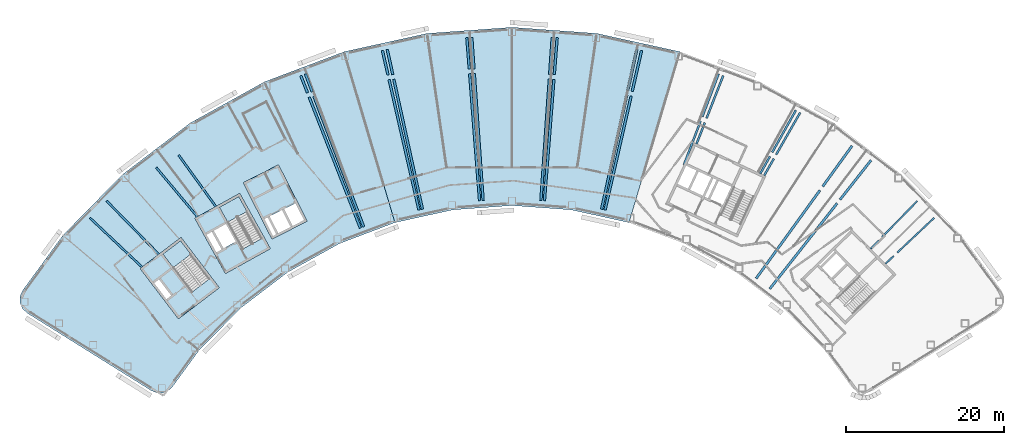
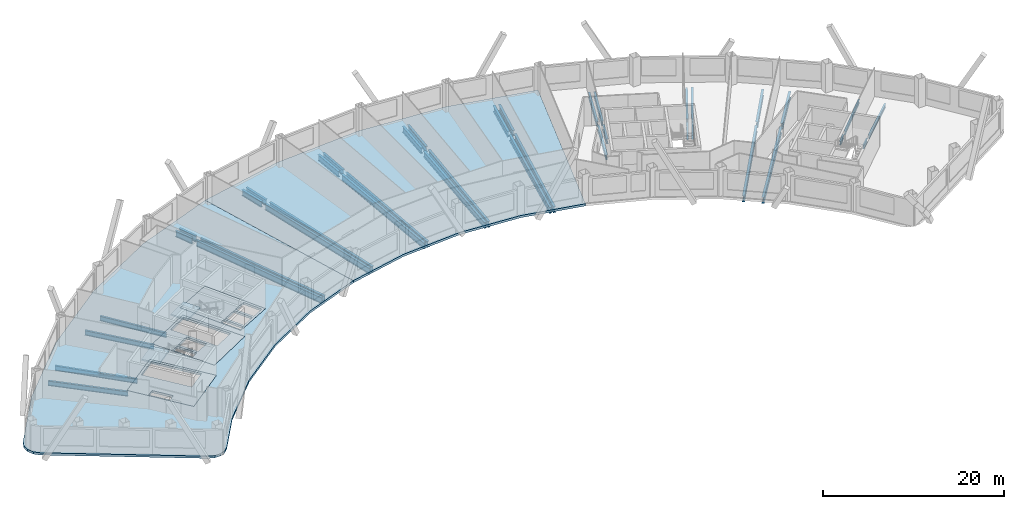
# One storey, part 3 of 14: 40 beams, 7 slabs, 2 elements without a shape of their own.
"""IFC4 building model written with IfcOpenShell, lengths in metres."""

from ifc_helpers import new_model, si_unit, direction, frame, origin, origin_2d, place, context, subcontext, project, spatial, polyline, i_section, outline, extrude, material, layer, layer_set, material_profile, profile_set, type_object, element, aggregate, save


model = new_model("IFC4")

# Units and contexts
model_context = context("Model", 3, precision=1e-05, world=origin(), true_north=direction((0.0, 1.0)))
body_context = subcontext(model_context, "Body", "Model", "MODEL_VIEW")
ifc_project = project(units=[si_unit("LENGTHUNIT", "METRE"), si_unit("AREAUNIT", "SQUARE_METRE"), si_unit("VOLUMEUNIT", "CUBIC_METRE"), si_unit("PLANEANGLEUNIT", "RADIAN"), si_unit("MASSUNIT", "GRAM", prefix="KILO")], contexts=[model_context])

# Site, building, storey
site_placement = place(None, origin())
site = spatial("IfcSite", under=ifc_project, at=site_placement, CompositionType="ELEMENT")
building_placement = place(site_placement, origin())
building = spatial("IfcBuilding", under=site, at=building_placement, Name="Tuul Gate Civic Tower", CompositionType="ELEMENT")
storey_placement = place(building_placement, frame((0.0, 0.0, 209.5)))
storey = spatial("IfcBuildingStorey", under=building, at=storey_placement, Name="Level 47", CompositionType="ELEMENT", Elevation=209.5)

# Beams
ifc_material_1 = material(Name="Steel S355", Category="steel")
ifc_material_profile_1 = material_profile(ifc_material_1, i_section(OverallWidth=0.199951171875, OverallDepth=0.5, WebThickness=0.010009765625, FlangeThickness=0.01611328125, at=origin_2d()), Name="PG500x200x10x16")
ifc_profile_set_1 = profile_set([ifc_material_profile_1], Name="Steel S355")
beam_type_1 = type_object("IfcBeamType", Name="STR-FLOOR BEAM-PG500x200x10x16", PredefinedType="BEAM", material=ifc_profile_set_1)
beam_1_placement = place(storey_placement, frame((53.19921875, -10.76025390625, -0.550048828125), z_axis=(0.727524796955, 0.686081387166, 0.0), x_axis=(-0.686081387166, 0.727524796955, 0.0)))
element("IfcBeam", 1, at=beam_1_placement, inside=storey, type_object=beam_type_1, Name="Floor beam", PredefinedType="BEAM", context=body_context, shape_type="SweptSolid", body=[
    extrude(i_section(OverallWidth=0.199951171875, OverallDepth=0.5, WebThickness=0.010009765625, FlangeThickness=0.01611328125, at=origin_2d()), origin(), (0.0, 0.0, 1.0), 1.455078125),
])
beam_2_placement = place(storey_placement, frame((54.6943359375, -9.35009765625, -0.550048828125), z_axis=(0.72749530032, 0.686112664227, 0.0), x_axis=(-0.686112664227, 0.72749530032, 0.0)))
element("IfcBeam", 2, at=beam_2_placement, inside=storey, type_object=beam_type_1, Name="Floor beam", PredefinedType="BEAM", context=body_context, shape_type="SweptSolid", body=[
    extrude(i_section(OverallWidth=0.199951171875, OverallDepth=0.5, WebThickness=0.010009765625, FlangeThickness=0.01611328125, at=origin_2d()), origin(), (0.0, 0.0, 1.0), 6.401123046875),
])
beam_3_placement = place(storey_placement, frame((51.3310546875, -8.854248046875, -0.550048828125), z_axis=(0.698665616617, 0.715448360231, 0.0), x_axis=(-0.715448360231, 0.698665616617, 0.0)))
element("IfcBeam", 3, at=beam_3_placement, inside=storey, type_object=beam_type_1, Name="Floor beam", PredefinedType="BEAM", context=body_context, shape_type="SweptSolid", body=[
    extrude(i_section(OverallWidth=0.199951171875, OverallDepth=0.5, WebThickness=0.010009765625, FlangeThickness=0.01611328125, at=origin_2d()), origin(), (0.0, 0.0, 1.0), 1.454833984375),
])
beam_4_placement = place(storey_placement, frame((52.766845703125, -7.384033203125, -0.550048828125), z_axis=(0.698685962104, 0.715428491436, 0.0), x_axis=(-0.715428491436, 0.698685962104, 0.0)))
element("IfcBeam", 4, at=beam_4_placement, inside=storey, type_object=beam_type_1, Name="Floor beam", PredefinedType="BEAM", context=body_context, shape_type="SweptSolid", body=[
    extrude(i_section(OverallWidth=0.199951171875, OverallDepth=0.5, WebThickness=0.010009765625, FlangeThickness=0.01611328125, at=origin_2d()), origin(), (0.0, 0.0, 1.0), 6.401611328125),
])
ifc_material_2 = material(Name="Steel S355", Category="steel")
ifc_material_profile_2 = material_profile(ifc_material_2, i_section(OverallWidth=0.25, OverallDepth=0.64990234375, WebThickness=0.011962890625, FlangeThickness=0.02001953125, at=origin_2d()), Name="PG650x250x12x20")
ifc_profile_set_2 = profile_set([ifc_material_profile_2], Name="Steel S355")
beam_type_2 = type_object("IfcBeamType", Name="STR-FLOOR BEAM-PG650x250x12x20", PredefinedType="BEAM", material=ifc_profile_set_2)
beam_5_placement = place(storey_placement, frame((37.854248046875, 0.41259765625, -0.625), z_axis=(0.496890617207, 0.86781317951, 0.0), x_axis=(-0.86781317951, 0.496890617207, 0.0)))
element("IfcBeam", 5, at=beam_5_placement, inside=storey, type_object=beam_type_2, Name="Floor beam", PredefinedType="BEAM", context=body_context, shape_type="SweptSolid", body=[
    extrude(i_section(OverallWidth=0.25, OverallDepth=0.64990234375, WebThickness=0.011962890625, FlangeThickness=0.02001953125, at=origin_2d()), origin(), (0.0, 0.0, 1.0), 2.44775390625),
])
beam_6_placement = place(storey_placement, frame((39.36865234375, 3.0576171875, -0.625), z_axis=(0.496850825703, 0.867835962034, 0.0), x_axis=(-0.867835962034, 0.496850825703, 0.0)))
element("IfcBeam", 6, at=beam_6_placement, inside=storey, type_object=beam_type_2, Name="Floor beam", PredefinedType="BEAM", context=body_context, shape_type="SweptSolid", body=[
    extrude(i_section(OverallWidth=0.25, OverallDepth=0.64990234375, WebThickness=0.011962890625, FlangeThickness=0.02001953125, at=origin_2d()), origin(), (0.0, 0.0, 1.0), 6.12939453125),
])
beam_7_placement = place(storey_placement, frame((37.358154296875, 0.643798828125, -0.625), z_axis=(0.489440435477, 0.872036730947, 0.0), x_axis=(-0.872036730947, 0.489440435477, 0.0)))
element("IfcBeam", 7, at=beam_7_placement, inside=storey, type_object=beam_type_2, Name="Floor beam", PredefinedType="BEAM", context=body_context, shape_type="SweptSolid", body=[
    extrude(i_section(OverallWidth=0.25, OverallDepth=0.64990234375, WebThickness=0.011962890625, FlangeThickness=0.02001953125, at=origin_2d()), origin(), (0.0, 0.0, 1.0), 2.486083984375),
])
beam_8_placement = place(storey_placement, frame((38.86865234375, 3.3349609375, -0.625), z_axis=(0.48945345301, 0.872029424582, 0.0), x_axis=(-0.872029424582, 0.48945345301, 0.0)))
element("IfcBeam", 8, at=beam_8_placement, inside=storey, type_object=beam_type_2, Name="Floor beam", PredefinedType="BEAM", context=body_context, shape_type="SweptSolid", body=[
    extrude(i_section(OverallWidth=0.25, OverallDepth=0.64990234375, WebThickness=0.011962890625, FlangeThickness=0.02001953125, at=origin_2d()), origin(), (0.0, 0.0, 1.0), 6.12890625),
])
beam_9_placement = place(storey_placement, frame((29.2900390625, 4.406005859375, -0.625), z_axis=(0.364064752564, 0.931373639277, 0.0), x_axis=(-0.931373639277, 0.364064752564, 0.0)))
element("IfcBeam", 9, at=beam_9_placement, inside=storey, type_object=beam_type_2, Name="Floor beam", PredefinedType="BEAM", context=body_context, shape_type="SweptSolid", body=[
    extrude(i_section(OverallWidth=0.25, OverallDepth=0.64990234375, WebThickness=0.011962890625, FlangeThickness=0.02001953125, at=origin_2d()), origin(), (0.0, 0.0, 1.0), 2.888916015625),
])
beam_10_placement = place(storey_placement, frame((30.56005859375, 7.655517578125, -0.625), z_axis=(0.364082411957, 0.931366736202, 0.0), x_axis=(-0.931366736202, 0.364082411957, 0.0)))
element("IfcBeam", 10, at=beam_10_placement, inside=storey, type_object=beam_type_2, Name="Floor beam", PredefinedType="BEAM", context=body_context, shape_type="SweptSolid", body=[
    extrude(i_section(OverallWidth=0.25, OverallDepth=0.64990234375, WebThickness=0.011962890625, FlangeThickness=0.02001953125, at=origin_2d()), origin(), (0.0, 0.0, 1.0), 5.7802734375),
])
beam_11_placement = place(storey_placement, frame((27.708984375, 1.787841796875, -0.625), z_axis=(0.356100347566, 0.934447720562, 0.0), x_axis=(-0.934447720562, 0.356100347566, 0.0)))
element("IfcBeam", 11, at=beam_11_placement, inside=storey, type_object=beam_type_2, Name="Floor beam", PredefinedType="BEAM", context=body_context, shape_type="SweptSolid", body=[
    extrude(i_section(OverallWidth=0.25, OverallDepth=0.64990234375, WebThickness=0.011962890625, FlangeThickness=0.02001953125, at=origin_2d()), origin(), (0.0, 0.0, 1.0), 5.896728515625),
])
beam_12_placement = place(storey_placement, frame((30.022705078125, 7.85888671875, -0.625), z_axis=(0.356127063269, 0.934437539276, 0.0), x_axis=(-0.934437539276, 0.356127063269, 0.0)))
element("IfcBeam", 12, at=beam_12_placement, inside=storey, type_object=beam_type_2, Name="Floor beam", PredefinedType="BEAM", context=body_context, shape_type="SweptSolid", body=[
    extrude(i_section(OverallWidth=0.25, OverallDepth=0.64990234375, WebThickness=0.011962890625, FlangeThickness=0.02001953125, at=origin_2d()), origin(), (0.0, 0.0, 1.0), 5.77978515625),
])
beam_13_placement = place(storey_placement, frame((-31.535888671875, -3.523193359375, -0.625), z_axis=(-0.586078280076, 0.810254435115, 0.0), x_axis=(-0.810254435115, -0.586078280076, 0.0)))
element("IfcBeam", 13, at=beam_13_placement, inside=storey, type_object=beam_type_2, Name="Floor beam", PredefinedType="BEAM", context=body_context, shape_type="SweptSolid", body=[
    extrude(i_section(OverallWidth=0.25, OverallDepth=0.64990234375, WebThickness=0.011962890625, FlangeThickness=0.02001953125, at=origin_2d()), origin(), (0.0, 0.0, 1.0), 8.051513671875),
])
beam_14_placement = place(storey_placement, frame((-33.863037109375, -4.813232421875, -0.625), z_axis=(-0.642205576758, 0.766532450181, 0.0), x_axis=(-0.766532450181, -0.642205576758, 0.0)))
element("IfcBeam", 14, at=beam_14_placement, inside=storey, type_object=beam_type_2, Name="Floor beam", PredefinedType="BEAM", context=body_context, shape_type="SweptSolid", body=[
    extrude(i_section(OverallWidth=0.25, OverallDepth=0.64990234375, WebThickness=0.011962890625, FlangeThickness=0.02001953125, at=origin_2d()), origin(), (0.0, 0.0, 1.0), 8.1416015625),
])
beam_15_placement = place(storey_placement, frame((-38.757568359375, -9.564697265625, -0.625), z_axis=(-0.69867341224, 0.715440747393, 0.0), x_axis=(-0.715440747393, -0.69867341224, 0.0)))
element("IfcBeam", 15, at=beam_15_placement, inside=storey, type_object=beam_type_2, Name="Floor beam", PredefinedType="BEAM", context=body_context, shape_type="SweptSolid", body=[
    extrude(i_section(OverallWidth=0.25, OverallDepth=0.64990234375, WebThickness=0.011962890625, FlangeThickness=0.02001953125, at=origin_2d()), origin(), (0.0, 0.0, 1.0), 9.44970703125),
])
beam_16_placement = place(storey_placement, frame((-40.87646484375, -11.177978515625, -0.625), z_axis=(-0.727474558726, 0.686134656177, 0.0), x_axis=(-0.686134656177, -0.727474558726, 0.0)))
element("IfcBeam", 16, at=beam_16_placement, inside=storey, type_object=beam_type_2, Name="Floor beam", PredefinedType="BEAM", context=body_context, shape_type="SweptSolid", body=[
    extrude(i_section(OverallWidth=0.25, OverallDepth=0.64990234375, WebThickness=0.011962890625, FlangeThickness=0.02001953125, at=origin_2d()), origin(), (0.0, 0.0, 1.0), 9.065185546875),
])
ifc_material_3 = material(Name="Steel S355", Category="steel")
ifc_material_profile_3 = material_profile(ifc_material_3, i_section(OverallWidth=0.300048828125, OverallDepth=0.800048828125, WebThickness=0.013916015625, FlangeThickness=0.02490234375, at=origin_2d()), Name="PG800x300x14x25")
ifc_profile_set_3 = profile_set([ifc_material_profile_3], Name="Steel S355")
beam_type_3 = type_object("IfcBeamType", Name="STR-FLOOR BEAM-PG800x300x14x25", PredefinedType="BEAM", material=ifc_profile_set_3)
beam_17_placement = place(storey_placement, frame((38.5615234375, -13.927978515625, -0.699951171875), z_axis=(0.618868247376, 0.78549480736, 0.0), x_axis=(-0.78549480736, 0.618868247376, 0.0)))
element("IfcBeam", 17, at=beam_17_placement, inside=storey, type_object=beam_type_3, Name="Floor beam", PredefinedType="BEAM", context=body_context, shape_type="SweptSolid", body=[
    extrude(i_section(OverallWidth=0.300048828125, OverallDepth=0.800048828125, WebThickness=0.013916015625, FlangeThickness=0.02490234375, at=origin_2d()), origin(), (0.0, 0.0, 1.0), 13.765625),
])
beam_18_placement = place(storey_placement, frame((47.451904296875, -2.64404296875, -0.699951171875), z_axis=(0.6188621437, 0.785499616229, 0.0), x_axis=(-0.785499616229, 0.6188621437, 0.0)))
element("IfcBeam", 18, at=beam_18_placement, inside=storey, type_object=beam_type_3, Name="Floor beam", PredefinedType="BEAM", context=body_context, shape_type="SweptSolid", body=[
    extrude(i_section(OverallWidth=0.300048828125, OverallDepth=0.800048828125, WebThickness=0.013916015625, FlangeThickness=0.02490234375, at=origin_2d()), origin(), (0.0, 0.0, 1.0), 6.338134765625),
])
beam_19_placement = place(storey_placement, frame((36.83837890625, -12.615966796875, -0.699951171875), z_axis=(0.58608734001, 0.81024788175, 0.0), x_axis=(-0.81024788175, 0.58608734001, 0.0)))
element("IfcBeam", 19, at=beam_19_placement, inside=storey, type_object=beam_type_3, Name="Floor beam", PredefinedType="BEAM", context=body_context, shape_type="SweptSolid", body=[
    extrude(i_section(OverallWidth=0.300048828125, OverallDepth=0.800048828125, WebThickness=0.013916015625, FlangeThickness=0.02490234375, at=origin_2d()), origin(), (0.0, 0.0, 1.0), 13.767822265625),
])
beam_20_placement = place(storey_placement, frame((45.25927734375, -0.974365234375, -0.699951171875), z_axis=(0.586088046685, 0.81024737058, 0.0), x_axis=(-0.81024737058, 0.586088046685, 0.0)))
element("IfcBeam", 20, at=beam_20_placement, inside=storey, type_object=beam_type_3, Name="Floor beam", PredefinedType="BEAM", context=body_context, shape_type="SweptSolid", body=[
    extrude(i_section(OverallWidth=0.300048828125, OverallDepth=0.800048828125, WebThickness=0.013916015625, FlangeThickness=0.02490234375, at=origin_2d()), origin(), (0.0, 0.0, 1.0), 6.3388671875),
])
beam_21_placement = place(storey_placement, frame((17.712646484375, -3.957763671875, -0.699951171875), z_axis=(0.223366688213, 0.974734488256, 0.0), x_axis=(-0.974734488256, 0.223366688213, 0.0)))
element("IfcBeam", 21, at=beam_21_placement, inside=storey, type_object=beam_type_3, Name="Floor beam", PredefinedType="BEAM", context=body_context, shape_type="SweptSolid", body=[
    extrude(i_section(OverallWidth=0.300048828125, OverallDepth=0.800048828125, WebThickness=0.013916015625, FlangeThickness=0.02490234375, at=origin_2d()), origin(), (0.0, 0.0, 1.0), 14.801513671875),
])
beam_22_placement = place(storey_placement, frame((21.15283203125, 11.0546875, -0.699951171875), z_axis=(0.223398954358, 0.974727093699, 0.0), x_axis=(-0.974727093699, 0.223398954358, 0.0)))
element("IfcBeam", 22, at=beam_22_placement, inside=storey, type_object=beam_type_3, Name="Floor beam", PredefinedType="BEAM", context=body_context, shape_type="SweptSolid", body=[
    extrude(i_section(OverallWidth=0.300048828125, OverallDepth=0.800048828125, WebThickness=0.013916015625, FlangeThickness=0.02490234375, at=origin_2d()), origin(), (0.0, 0.0, 1.0), 5.29931640625),
])
beam_23_placement = place(storey_placement, frame((17.275390625, -3.861328125, -0.699951171875), z_axis=(0.215077010424, 0.976597091736, 0.0), x_axis=(-0.976597091736, 0.215077010424, 0.0)))
element("IfcBeam", 23, at=beam_23_placement, inside=storey, type_object=beam_type_3, Name="Floor beam", PredefinedType="BEAM", context=body_context, shape_type="SweptSolid", body=[
    extrude(i_section(OverallWidth=0.300048828125, OverallDepth=0.800048828125, WebThickness=0.013916015625, FlangeThickness=0.02490234375, at=origin_2d()), origin(), (0.0, 0.0, 1.0), 14.801025390625),
])
beam_24_placement = place(storey_placement, frame((20.587646484375, 11.17919921875, -0.699951171875), z_axis=(0.215110505132, 0.976589714559, 0.0), x_axis=(-0.976589714559, 0.215110505132, 0.0)))
element("IfcBeam", 24, at=beam_24_placement, inside=storey, type_object=beam_type_3, Name="Floor beam", PredefinedType="BEAM", context=body_context, shape_type="SweptSolid", body=[
    extrude(i_section(OverallWidth=0.300048828125, OverallDepth=0.800048828125, WebThickness=0.013916015625, FlangeThickness=0.02490234375, at=origin_2d()), origin(), (0.0, 0.0, 1.0), 5.299072265625),
])
beam_25_placement = place(storey_placement, frame((10.04248046875, -2.78662109375, -0.699951171875), z_axis=(0.077844104197, 0.996965543759, 0.0), x_axis=(-0.996965543759, 0.077844104197, 0.0)))
element("IfcBeam", 25, at=beam_25_placement, inside=storey, type_object=beam_type_3, Name="Floor beam", PredefinedType="BEAM", context=body_context, shape_type="SweptSolid", body=[
    extrude(i_section(OverallWidth=0.300048828125, OverallDepth=0.800048828125, WebThickness=0.013916015625, FlangeThickness=0.02490234375, at=origin_2d()), origin(), (0.0, 0.0, 1.0), 15.4052734375),
])
beam_26_placement = place(storey_placement, frame((11.28857421875, 13.170166015625, -0.699951171875), z_axis=(0.077849708617, 0.996965106144, 0.0), x_axis=(-0.996965106144, 0.077849708617, 0.0)))
element("IfcBeam", 26, at=beam_26_placement, inside=storey, type_object=beam_type_3, Name="Floor beam", PredefinedType="BEAM", context=body_context, shape_type="SweptSolid", body=[
    extrude(i_section(OverallWidth=0.300048828125, OverallDepth=0.800048828125, WebThickness=0.013916015625, FlangeThickness=0.02490234375, at=origin_2d()), origin(), (0.0, 0.0, 1.0), 4.694580078125),
])
beam_27_placement = place(storey_placement, frame((9.595947265625, -2.75439453125, -0.699951171875), z_axis=(0.069366095744, 0.997591271394, 0.0), x_axis=(-0.997591271394, 0.069366095744, 0.0)))
element("IfcBeam", 27, at=beam_27_placement, inside=storey, type_object=beam_type_3, Name="Floor beam", PredefinedType="BEAM", context=body_context, shape_type="SweptSolid", body=[
    extrude(i_section(OverallWidth=0.300048828125, OverallDepth=0.800048828125, WebThickness=0.013916015625, FlangeThickness=0.02490234375, at=origin_2d()), origin(), (0.0, 0.0, 1.0), 15.4052734375),
])
beam_28_placement = place(storey_placement, frame((10.7060546875, 13.21240234375, -0.699951171875), z_axis=(0.069376799246, 0.997590527083, 0.0), x_axis=(-0.997590527083, 0.069376799246, 0.0)))
element("IfcBeam", 28, at=beam_28_placement, inside=storey, type_object=beam_type_3, Name="Floor beam", PredefinedType="BEAM", context=body_context, shape_type="SweptSolid", body=[
    extrude(i_section(OverallWidth=0.300048828125, OverallDepth=0.800048828125, WebThickness=0.013916015625, FlangeThickness=0.02490234375, at=origin_2d()), origin(), (0.0, 0.0, 1.0), 4.6943359375),
])
beam_29_placement = place(storey_placement, frame((2.28369140625, -2.75439453125, -0.699951171875), z_axis=(-0.069364817094, 0.997591360302, 0.0), x_axis=(-0.997591360302, -0.069364817094, 0.0)))
element("IfcBeam", 29, at=beam_29_placement, inside=storey, type_object=beam_type_3, Name="Floor beam", PredefinedType="BEAM", context=body_context, shape_type="SweptSolid", body=[
    extrude(i_section(OverallWidth=0.300048828125, OverallDepth=0.800048828125, WebThickness=0.013916015625, FlangeThickness=0.02490234375, at=origin_2d()), origin(), (0.0, 0.0, 1.0), 16.095458984375),
])
beam_30_placement = place(storey_placement, frame((1.125244140625, 13.906982421875, -0.699951171875), z_axis=(-0.069367909715, 0.99759114526, 0.0), x_axis=(-0.99759114526, -0.069367909715, 0.0)))
element("IfcBeam", 30, at=beam_30_placement, inside=storey, type_object=beam_type_3, Name="Floor beam", PredefinedType="BEAM", context=body_context, shape_type="SweptSolid", body=[
    extrude(i_section(OverallWidth=0.300048828125, OverallDepth=0.800048828125, WebThickness=0.013916015625, FlangeThickness=0.02490234375, at=origin_2d()), origin(), (0.0, 0.0, 1.0), 3.998046875),
])
beam_31_placement = place(storey_placement, frame((1.8369140625, -2.78662109375, -0.699951171875), z_axis=(-0.077840629019, 0.996965815098, 0.0), x_axis=(-0.996965815098, -0.077840629019, 0.0)))
element("IfcBeam", 31, at=beam_31_placement, inside=storey, type_object=beam_type_3, Name="Floor beam", PredefinedType="BEAM", context=body_context, shape_type="SweptSolid", body=[
    extrude(i_section(OverallWidth=0.300048828125, OverallDepth=0.800048828125, WebThickness=0.013916015625, FlangeThickness=0.02490234375, at=origin_2d()), origin(), (0.0, 0.0, 1.0), 16.12109375),
])
beam_32_placement = place(storey_placement, frame((0.535400390625, 13.8837890625, -0.699951171875), z_axis=(-0.07780380957, 0.996968689186, 0.0), x_axis=(-0.996968689186, -0.07780380957, 0.0)))
element("IfcBeam", 32, at=beam_32_placement, inside=storey, type_object=beam_type_3, Name="Floor beam", PredefinedType="BEAM", context=body_context, shape_type="SweptSolid", body=[
    extrude(i_section(OverallWidth=0.300048828125, OverallDepth=0.800048828125, WebThickness=0.013916015625, FlangeThickness=0.02490234375, at=origin_2d()), origin(), (0.0, 0.0, 1.0), 3.978759765625),
])
beam_33_placement = place(storey_placement, frame((-5.395751953125, -3.861328125, -0.699951171875), z_axis=(-0.215079369165, 0.976596572265, 0.0), x_axis=(-0.976596572265, -0.215079369165, 0.0)))
element("IfcBeam", 33, at=beam_33_placement, inside=storey, type_object=beam_type_3, Name="Floor beam", PredefinedType="BEAM", context=body_context, shape_type="SweptSolid", body=[
    extrude(i_section(OverallWidth=0.300048828125, OverallDepth=0.800048828125, WebThickness=0.013916015625, FlangeThickness=0.02490234375, at=origin_2d()), origin(), (0.0, 0.0, 1.0), 16.84521484375),
])
beam_34_placement = place(storey_placement, frame((-9.149169921875, 13.181884765625, -0.699951171875), z_axis=(-0.215083991995, 0.976595554151, 0.0), x_axis=(-0.976595554151, -0.215083991995, 0.0)))
element("IfcBeam", 34, at=beam_34_placement, inside=storey, type_object=beam_type_3, Name="Floor beam", PredefinedType="BEAM", context=body_context, shape_type="SweptSolid", body=[
    extrude(i_section(OverallWidth=0.300048828125, OverallDepth=0.800048828125, WebThickness=0.013916015625, FlangeThickness=0.02490234375, at=origin_2d()), origin(), (0.0, 0.0, 1.0), 3.24853515625),
])
beam_35_placement = place(storey_placement, frame((-5.8330078125, -3.957763671875, -0.699951171875), z_axis=(-0.223363883857, 0.974735130889, 0.0), x_axis=(-0.974735130889, -0.223363883857, 0.0)))
element("IfcBeam", 35, at=beam_35_placement, inside=storey, type_object=beam_type_3, Name="Floor beam", PredefinedType="BEAM", context=body_context, shape_type="SweptSolid", body=[
    extrude(i_section(OverallWidth=0.300048828125, OverallDepth=0.800048828125, WebThickness=0.013916015625, FlangeThickness=0.02490234375, at=origin_2d()), origin(), (0.0, 0.0, 1.0), 16.931884765625),
])
beam_36_placement = place(storey_placement, frame((-9.749267578125, 13.131591796875, -0.699951171875), z_axis=(-0.223362430626, 0.9747354639, 0.0), x_axis=(-0.9747354639, -0.223362430626, 0.0)))
element("IfcBeam", 36, at=beam_36_placement, inside=storey, type_object=beam_type_3, Name="Floor beam", PredefinedType="BEAM", context=body_context, shape_type="SweptSolid", body=[
    extrude(i_section(OverallWidth=0.300048828125, OverallDepth=0.800048828125, WebThickness=0.013916015625, FlangeThickness=0.02490234375, at=origin_2d()), origin(), (0.0, 0.0, 1.0), 3.168701171875),
])
beam_37_placement = place(storey_placement, frame((-12.82958984375, -6.0830078125, -0.699951171875), z_axis=(-0.356123859596, 0.934438760233, 0.0), x_axis=(-0.934438760233, -0.356123859596, 0.0)))
element("IfcBeam", 37, at=beam_37_placement, inside=storey, type_object=beam_type_3, Name="Floor beam", PredefinedType="BEAM", context=body_context, shape_type="SweptSolid", body=[
    extrude(i_section(OverallWidth=0.300048828125, OverallDepth=0.800048828125, WebThickness=0.013916015625, FlangeThickness=0.02490234375, at=origin_2d()), origin(), (0.0, 0.0, 1.0), 17.692626953125),
])
beam_38_placement = place(storey_placement, frame((-19.346435546875, 11.016357421875, -0.699951171875), z_axis=(-0.356088349231, 0.934452292812, 0.0), x_axis=(-0.934452292812, -0.356088349231, 0.0)))
element("IfcBeam", 38, at=beam_38_placement, inside=storey, type_object=beam_type_3, Name="Floor beam", PredefinedType="BEAM", context=body_context, shape_type="SweptSolid", body=[
    extrude(i_section(OverallWidth=0.300048828125, OverallDepth=0.800048828125, WebThickness=0.013916015625, FlangeThickness=0.02490234375, at=origin_2d()), origin(), (0.0, 0.0, 1.0), 2.401123046875),
])
beam_39_placement = place(storey_placement, frame((-13.24853515625, -6.241455078125, -0.699951171875), z_axis=(-0.364049871026, 0.931379456186, 0.0), x_axis=(-0.931379456186, -0.364049871026, 0.0)))
element("IfcBeam", 39, at=beam_39_placement, inside=storey, type_object=beam_type_3, Name="Floor beam", PredefinedType="BEAM", context=body_context, shape_type="SweptSolid", body=[
    extrude(i_section(OverallWidth=0.300048828125, OverallDepth=0.800048828125, WebThickness=0.013916015625, FlangeThickness=0.02490234375, at=origin_2d()), origin(), (0.0, 0.0, 1.0), 17.781005859375),
])
beam_40_placement = place(storey_placement, frame((-19.942626953125, 10.885009765625, -0.699951171875), z_axis=(-0.364136678122, 0.931345521086, 0.0), x_axis=(-0.931345521086, -0.364136678122, 0.0)))
element("IfcBeam", 40, at=beam_40_placement, inside=storey, type_object=beam_type_3, Name="Floor beam", PredefinedType="BEAM", context=body_context, shape_type="SweptSolid", body=[
    extrude(i_section(OverallWidth=0.300048828125, OverallDepth=0.800048828125, WebThickness=0.013916015625, FlangeThickness=0.02490234375, at=origin_2d()), origin(), (0.0, 0.0, 1.0), 2.31298828125),
])

# Slabs
ifc_material_4 = material(Name="Concrete C40/50", Category="concrete")
ifc_layer_1 = layer(ifc_material_4, 0.300048828125)
ifc_layer_set_1 = layer_set([ifc_layer_1], Name="Concrete C40/50")
slab_type_1 = type_object("IfcSlabType", Name="Core floor slab 300", PredefinedType="FLOOR", material=ifc_layer_set_1)
slab_1_placement = place(storey_placement, frame((0.0, 0.0, -0.300048828125)))
element("IfcSlab", 41, at=slab_1_placement, inside=storey, type_object=slab_type_1, Name="FLOOR SLAB", PredefinedType="FLOOR", context=body_context, shape_type="SweptSolid", body=[
    extrude(outline(polyline([(-31.10009765625, -13.7890625), (-35.946044921875, -7.423828125), (-41.11767578125, -11.361572265625), (-36.271484375, -17.726806640625), (-31.10009765625, -13.7890625)]), holes=[polyline([(-37.19287109375, -14.783203125), (-38.737548828125, -12.75439453125), (-39.45361328125, -13.299560546875), (-37.908935546875, -15.328369140625), (-37.19287109375, -14.783203125)]), polyline([(-32.33935546875, -12.65771484375), (-34.56591796875, -14.352783203125), (-38.229736328125, -9.54052734375), (-36.003173828125, -7.845458984375), (-32.33935546875, -12.65771484375)])]), origin(), (0.0, 0.0, 1.0), 0.300048828125),
])
slab_2_placement = place(storey_placement, frame((0.0, 0.0, -0.300048828125)))
element("IfcSlab", 42, at=slab_2_placement, inside=storey, type_object=slab_type_1, Name="FLOOR SLAB", PredefinedType="FLOOR", context=body_context, shape_type="SweptSolid", body=[
    extrude(outline(polyline([(-24.638916015625, -8.846923828125), (-28.51708984375, -1.849853515625), (-34.2021484375, -5.0009765625), (-30.32421875, -11.998046875), (-24.638916015625, -8.846923828125)]), holes=[polyline([(-29.0185546875, -7.958740234375), (-30.254638671875, -5.728515625), (-31.785400390625, -6.576904296875), (-30.54931640625, -8.80712890625), (-29.0185546875, -7.958740234375)]), polyline([(-30.8115234375, -8.95263671875), (-32.047607421875, -6.72216796875), (-32.8349609375, -7.158447265625), (-31.5986328125, -9.388916015625), (-30.8115234375, -8.95263671875)]), polyline([(-25.702392578125, -7.548828125), (-28.14990234375, -8.905517578125), (-31.08203125, -3.615234375), (-28.63427734375, -2.2587890625), (-25.702392578125, -7.548828125)])]), origin(), (0.0, 0.0, 1.0), 0.300048828125),
])
ifc_material_5 = material(Name="Concrete C40/50", Category="concrete")
ifc_layer_2 = layer(ifc_material_5, 0.300048828125)
ifc_layer_set_2 = layer_set([ifc_layer_2], Name="Concrete C40/50")
slab_type_2 = type_object("IfcSlabType", Name="Core floor slab 300 non-bearing", PredefinedType="FLOOR", material=ifc_layer_set_2)
slab_3_placement = place(storey_placement, frame((0.0, 0.0, -0.300048828125)))
element("IfcSlab", 43, at=slab_3_placement, inside=storey, type_object=slab_type_2, Name="FLOOR SLAB", PredefinedType="FLOOR", context=body_context, shape_type="SweptSolid", body=[
    extrude(outline(polyline([(-19.98095703125, -5.365966796875), (-23.613037109375, 1.761962890625), (-28.068115234375, -0.508056640625), (-24.43603515625, -7.635986328125), (-19.98095703125, -5.365966796875)]), holes=[polyline([(-20.384521484375, -5.23486328125), (-21.47412109375, -3.096435546875), (-22.899658203125, -3.822998046875), (-21.81005859375, -5.961181640625), (-20.384521484375, -5.23486328125)]), polyline([(-22.077392578125, -6.097412109375), (-23.1669921875, -3.958984375), (-24.726318359375, -4.753662109375), (-23.63671875, -6.89208984375), (-22.077392578125, -6.097412109375)]), polyline([(-23.8359375, -7.161865234375), (-24.99365234375, -4.889892578125), (-25.5283203125, -5.162109375), (-24.37060546875, -7.434326171875), (-23.8359375, -7.161865234375)])]), origin(), (0.0, 0.0, 1.0), 0.300048828125),
])

# Stair, slab
ifc_material_6 = material(Name="Concrete C40/50", Category="concrete")
stair_type = type_object("IfcStairType", Name="Exit stair", PredefinedType="HALF_TURN_STAIR", material=ifc_material_6)
stair_1_placement = place(storey_placement, origin())
stair_1 = element("IfcStair", 44, at=stair_1_placement, inside=storey, type_object=stair_type, Name="Level 47 ST-1", PredefinedType="HALF_TURN_STAIR")
ifc_material_7 = material(Name="Concrete C40/50", Category="concrete")
ifc_layer_3 = layer(ifc_material_7, 0.199951171875)
ifc_layer_set_3 = layer_set([ifc_layer_3], Name="Concrete C40/50")
slab_type_3 = type_object("IfcSlabType", Name="Exit stair landing", PredefinedType="LANDING", material=ifc_layer_set_3)
slab_4_placement = place(storey_placement, frame((0.0, 0.0, 1.89990234375)))
slab_4 = element("IfcSlab", 45, at=slab_4_placement, type_object=slab_type_3, Name="ST-1 landing 1", PredefinedType="LANDING", context=body_context, shape_type="SweptSolid", body=[
    extrude(outline(polyline([(-34.699462890625, -9.554931640625), (-36.9287109375, -11.252197265625), (-38.23193359375, -9.540283203125), (-36.0029296875, -7.843017578125), (-34.699462890625, -9.554931640625)])), origin(), (0.0, 0.0, 1.0), 0.2001953125),
])
aggregate(stair_1, [slab_4])

stair_2_placement = place(storey_placement, origin())
stair_2 = element("IfcStair", 46, at=stair_2_placement, inside=storey, type_object=stair_type, Name="Level 47 ST-2", PredefinedType="HALF_TURN_STAIR")
slab_5_placement = place(storey_placement, frame((0.0, 0.0, 1.89990234375)))
slab_5 = element("IfcSlab", 47, at=slab_5_placement, type_object=slab_type_3, Name="ST-2 landing 1", PredefinedType="LANDING", context=body_context, shape_type="SweptSolid", body=[
    extrude(outline(polyline([(-27.5908203125, -4.138427734375), (-30.041015625, -5.49658203125), (-31.084228515625, -3.61474609375), (-28.6337890625, -2.256591796875), (-27.5908203125, -4.138427734375)])), origin(), (0.0, 0.0, 1.0), 0.2001953125),
])
aggregate(stair_2, [slab_5])

# Slabs
ifc_material_8 = material(Name="Concrete C35/45", Category="concrete")
ifc_layer_4 = layer(ifc_material_8, 0.300048828125)
ifc_layer_set_4 = layer_set([ifc_layer_4], Name="Concrete C35/45")
slab_type_4 = type_object("IfcSlabType", Name="STR-FLOOR-SLAB-300", PredefinedType="FLOOR", material=ifc_layer_set_4)
slab_6_placement = place(storey_placement, frame((0.0, 0.0, -0.300048828125)))
element("IfcSlab", 48, at=slab_6_placement, inside=storey, type_object=slab_type_4, Name="Level 47/slab/W", PredefinedType="FLOOR", context=body_context, shape_type="SweptSolid", body=[
    extrude(outline(polyline([(-15.89404296875, -8.2041015625), (-8.875, -5.549072265625), (-15.30908203125, 16.072998046875), (-25.376953125, 12.264892578125), (-34.7919921875, 7.0458984375), (-43.35595703125, 0.52587890625), (-50.89111328125, -7.160888671875), (-55.971923828125, -14.117919921875), (-56.30810546875, -14.861083984375), (-56.320068359375, -15.677001953125), (-56.006103515625, -16.428955078125), (-55.416015625, -16.992919921875), (-39.68603515625, -26.822998046875), (-38.991943359375, -27.093017578125), (-38.2470703125, -27.090087890625), (-37.554931640625, -26.81494140625), (-37.011962890625, -26.305908203125), (-33.681884765625, -21.748046875), (-28.428955078125, -16.388916015625), (-22.4580078125, -11.842041015625), (-15.89404296875, -8.2041015625)]), holes=[polyline([(-31.10009765625, -13.7890625), (-36.27197265625, -17.72705078125), (-41.117919921875, -11.362060546875), (-35.946044921875, -7.424072265625), (-31.10009765625, -13.7890625)]), polyline([(-24.638916015625, -8.846923828125), (-30.323974609375, -11.998046875), (-34.201904296875, -5.0009765625), (-28.51708984375, -1.85009765625), (-24.638916015625, -8.846923828125)]), polyline([(-24.43603515625, -7.635986328125), (-28.068115234375, -0.508056640625), (-23.613037109375, 1.761962890625), (-19.98095703125, -5.365966796875), (-24.43603515625, -7.635986328125)])]), origin(), (0.0, 0.0, 1.0), 0.300048828125),
])
slab_7_placement = place(storey_placement, frame((0.0, 0.0, -0.300048828125)))
element("IfcSlab", 49, at=slab_7_placement, inside=storey, type_object=slab_type_4, Name="Level 47/slab/M", PredefinedType="FLOOR", context=body_context, shape_type="SweptSolid", body=[
    extrude(outline(polyline([(13.425048828125, -3.93408203125), (20.75390625, -5.549072265625), (27.18798828125, 16.072998046875), (16.676025390625, 18.388916015625), (5.93994140625, 19.1669921875), (-4.7958984375, 18.388916015625), (-15.30810546875, 16.072998046875), (-15.30908203125, 16.072998046875), (-8.875, -5.549072265625), (-8.8740234375, -5.549072265625), (-1.544921875, -3.93408203125), (5.93994140625, -3.39208984375), (13.425048828125, -3.93408203125)])), origin(), (0.0, 0.0, 1.0), 0.300048828125),
])

save(model, "model.ifc")
